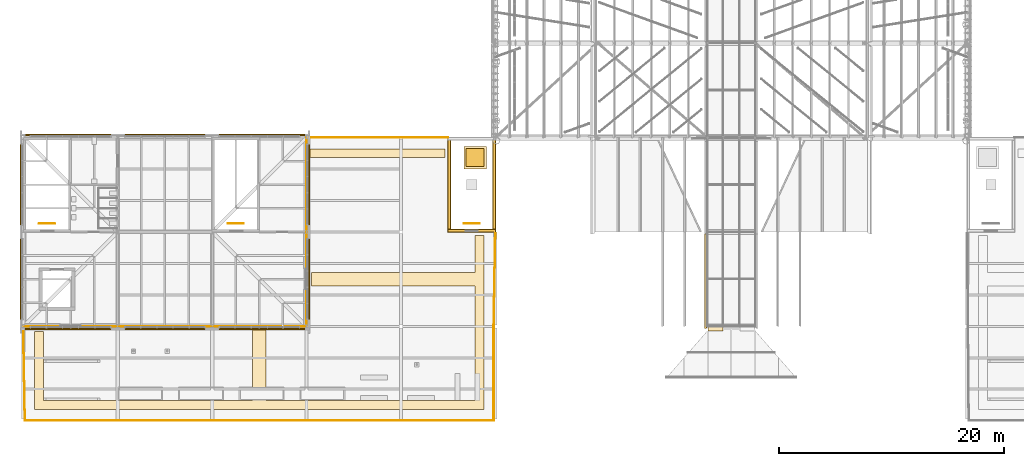
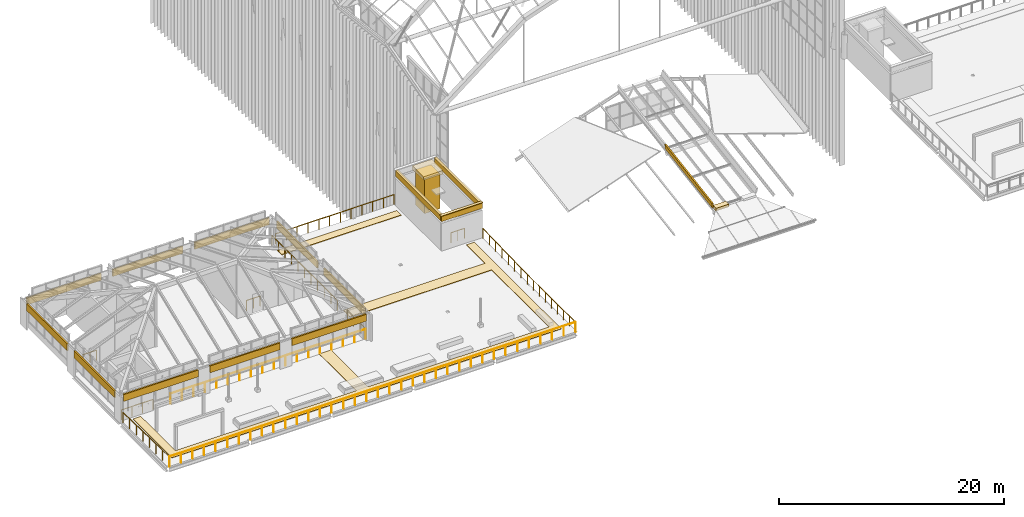
# One storey, part 100 of 126: 22 coverings, 12 railings.
"""IFC4 building model written with IfcOpenShell, lengths in metres."""

from ifc_helpers import new_model, si_unit, direction, frame, origin, origin_2d, place, context, subcontext, project, spatial, polyline, rectangle, circle, outline, extrude, material, layer, layer_set, material_profile, profile_set, type_object, element, save


model = new_model("IFC4")

# Units and contexts
model_context = context("Model", 3, precision=1e-05, world=origin(), true_north=direction((0.0, 1.0)))
body_context = subcontext(model_context, "Body", "Model", "MODEL_VIEW")
ifc_project = project(units=[si_unit("LENGTHUNIT", "METRE"), si_unit("AREAUNIT", "SQUARE_METRE"), si_unit("VOLUMEUNIT", "CUBIC_METRE"), si_unit("PLANEANGLEUNIT", "RADIAN"), si_unit("MASSUNIT", "GRAM", prefix="KILO")], contexts=[model_context])

# Site, building, storey
site_placement = place(None, origin())
site = spatial("IfcSite", under=ifc_project, at=site_placement, CompositionType="ELEMENT")
building_placement = place(site_placement, origin())
building = spatial("IfcBuilding", under=site, at=building_placement, Name="Sava Quay Ferry Terminal", CompositionType="ELEMENT")
storey_placement = place(building_placement, frame((0.0, 0.0, 15.0)))
storey = spatial("IfcBuildingStorey", under=building, at=storey_placement, Name="L03", CompositionType="ELEMENT", Elevation=15.0)

# Covering
ifc_material_1 = material(Name="Steel S355", Category="steel")
ifc_material_profile = material_profile(ifc_material_1, rectangle(XDim=0.14990234375, YDim=0.60009765625, at=origin_2d()), Name="Cap 150 x 600")
ifc_profile_set = profile_set([ifc_material_profile], Name="Steel S355")
covering_type_1 = type_object("IfcCoveringType", Name="Crease capping 150x600", PredefinedType="MOLDING", material=ifc_profile_set)
covering_1_placement = place(storey_placement, frame((60.745849609375, 33.4521484375, 2.12109375), z_axis=(0.0, 0.987350755247, 0.158551209752), x_axis=(-0.986605539958, 0.025863541144, -0.161060813866)))
element("IfcCovering", 1, at=covering_1_placement, inside=storey, type_object=covering_type_1, Name="Arrivals hall crease capping bay 1 crease 2", PredefinedType="MOLDING", context=body_context, shape_type="SweptSolid", body=[
    extrude(rectangle(XDim=0.14990234375, YDim=0.60009765625, at=origin_2d()), origin(), (0.0, 0.0, 1.0), 8.507568359375),
])

# Railings
ifc_material_2 = material(Name="Steel S355", Category="steel")
railing_type_1 = type_object("IfcRailingType", Name="Edge guard 1100", PredefinedType="GUARDRAIL", material=ifc_material_2)
railing_1_placement = place(storey_placement, frame((41.860107421875, 33.739990234375, 0.0)))
element("IfcRailing", 2, at=railing_1_placement, inside=storey, type_object=railing_type_1, Name="Terrace edge guard", PredefinedType="GUARDRAIL", context=body_context, shape_type="SweptSolid", body=[
    extrude(circle(Radius=0.02392578125, at=origin_2d()), frame((0.0, 0.0, 1.076171875), z_axis=(0.0, -1.0, 0.0), x_axis=(1.0, 0.0, 0.0)), (0.0, 0.0, 1.0), 8.5400390625),
    extrude(circle(Radius=0.02099609375, at=origin_2d()), origin(), (0.0, 0.0, 1.0), 1.052001953125),
    extrude(circle(Radius=0.02099609375, at=origin_2d()), frame((0.0, -1.0673828125, 0.0)), (0.0, 0.0, 1.0), 1.052001953125),
    extrude(circle(Radius=0.02099609375, at=origin_2d()), frame((0.0, -2.135009765625, 0.0)), (0.0, 0.0, 1.0), 1.052001953125),
    extrude(circle(Radius=0.02099609375, at=origin_2d()), frame((0.0, -3.20263671875, 0.0)), (0.0, 0.0, 1.0), 1.052001953125),
    extrude(circle(Radius=0.02099609375, at=origin_2d()), frame((0.0, -4.27001953125, 0.0)), (0.0, 0.0, 1.0), 1.052001953125),
    extrude(circle(Radius=0.02099609375, at=origin_2d()), frame((0.0, -5.33740234375, 0.0)), (0.0, 0.0, 1.0), 1.052001953125),
    extrude(circle(Radius=0.02099609375, at=origin_2d()), frame((0.0, -6.405029296875, 0.0)), (0.0, 0.0, 1.0), 1.052001953125),
    extrude(circle(Radius=0.02099609375, at=origin_2d()), frame((0.0, -7.47265625, 0.0)), (0.0, 0.0, 1.0), 1.052001953125),
    extrude(circle(Radius=0.02099609375, at=origin_2d()), frame((0.0, -8.5400390625, 0.0)), (0.0, 0.0, 1.0), 1.052001953125),
])
railing_2_placement = place(storey_placement, frame((41.860107421875, 25.199951171875, 0.0)))
element("IfcRailing", 3, at=railing_2_placement, inside=storey, type_object=railing_type_1, Name="Terrace edge guard", PredefinedType="GUARDRAIL", context=body_context, shape_type="SweptSolid", body=[
    extrude(circle(Radius=0.02392578125, at=origin_2d()), frame((0.0, 0.0, 1.076171875), z_axis=(-1.0, 0.0, 0.0), x_axis=(0.0, -1.0, 0.0)), (0.0, 0.0, 1.0), 41.72021484375),
    extrude(circle(Radius=0.02099609375, at=origin_2d()), origin(), (0.0, 0.0, 1.0), 1.052001953125),
    extrude(circle(Radius=0.02099609375, at=origin_2d()), frame((-1.19189453125, 0.0, 0.0)), (0.0, 0.0, 1.0), 1.052001953125),
    extrude(circle(Radius=0.02099609375, at=origin_2d()), frame((-2.384033203125, 0.0, 0.0)), (0.0, 0.0, 1.0), 1.052001953125),
    extrude(circle(Radius=0.02099609375, at=origin_2d()), frame((-3.575927734375, 0.0, 0.0)), (0.0, 0.0, 1.0), 1.052001953125),
    extrude(circle(Radius=0.02099609375, at=origin_2d()), frame((-4.76806640625, 0.0, 0.0)), (0.0, 0.0, 1.0), 1.052001953125),
    extrude(circle(Radius=0.02099609375, at=origin_2d()), frame((-5.9599609375, 0.0, 0.0)), (0.0, 0.0, 1.0), 1.052001953125),
    extrude(circle(Radius=0.02099609375, at=origin_2d()), frame((-7.152099609375, 0.0, 0.0)), (0.0, 0.0, 1.0), 1.052001953125),
    extrude(circle(Radius=0.02099609375, at=origin_2d()), frame((-8.343994140625, 0.0, 0.0)), (0.0, 0.0, 1.0), 1.052001953125),
    extrude(circle(Radius=0.02099609375, at=origin_2d()), frame((-9.5361328125, 0.0, 0.0)), (0.0, 0.0, 1.0), 1.052001953125),
    extrude(circle(Radius=0.02099609375, at=origin_2d()), frame((-10.72802734375, 0.0, 0.0)), (0.0, 0.0, 1.0), 1.052001953125),
    extrude(circle(Radius=0.02099609375, at=origin_2d()), frame((-11.920166015625, 0.0, 0.0)), (0.0, 0.0, 1.0), 1.052001953125),
    extrude(circle(Radius=0.02099609375, at=origin_2d()), frame((-13.112060546875, 0.0, 0.0)), (0.0, 0.0, 1.0), 1.052001953125),
    extrude(circle(Radius=0.02099609375, at=origin_2d()), frame((-14.303955078125, 0.0, 0.0)), (0.0, 0.0, 1.0), 1.052001953125),
    extrude(circle(Radius=0.02099609375, at=origin_2d()), frame((-15.49609375, 0.0, 0.0)), (0.0, 0.0, 1.0), 1.052001953125),
    extrude(circle(Radius=0.02099609375, at=origin_2d()), frame((-16.68798828125, 0.0, 0.0)), (0.0, 0.0, 1.0), 1.052001953125),
    extrude(circle(Radius=0.02099609375, at=origin_2d()), frame((-17.880126953125, 0.0, 0.0)), (0.0, 0.0, 1.0), 1.052001953125),
    extrude(circle(Radius=0.02099609375, at=origin_2d()), frame((-19.072021484375, 0.0, 0.0)), (0.0, 0.0, 1.0), 1.052001953125),
    extrude(circle(Radius=0.02099609375, at=origin_2d()), frame((-20.26416015625, 0.0, 0.0)), (0.0, 0.0, 1.0), 1.052001953125),
    extrude(circle(Radius=0.02099609375, at=origin_2d()), frame((-21.4560546875, 0.0, 0.0)), (0.0, 0.0, 1.0), 1.052001953125),
    extrude(circle(Radius=0.02099609375, at=origin_2d()), frame((-22.648193359375, 0.0, 0.0)), (0.0, 0.0, 1.0), 1.052001953125),
    extrude(circle(Radius=0.02099609375, at=origin_2d()), frame((-23.840087890625, 0.0, 0.0)), (0.0, 0.0, 1.0), 1.052001953125),
    extrude(circle(Radius=0.02099609375, at=origin_2d()), frame((-25.0322265625, 0.0, 0.0)), (0.0, 0.0, 1.0), 1.052001953125),
    extrude(circle(Radius=0.02099609375, at=origin_2d()), frame((-26.22412109375, 0.0, 0.0)), (0.0, 0.0, 1.0), 1.052001953125),
    extrude(circle(Radius=0.02099609375, at=origin_2d()), frame((-27.416259765625, 0.0, 0.0)), (0.0, 0.0, 1.0), 1.052001953125),
    extrude(circle(Radius=0.02099609375, at=origin_2d()), frame((-28.608154296875, 0.0, 0.0)), (0.0, 0.0, 1.0), 1.052001953125),
    extrude(circle(Radius=0.02099609375, at=origin_2d()), frame((-29.800048828125, 0.0, 0.0)), (0.0, 0.0, 1.0), 1.052001953125),
    extrude(circle(Radius=0.02099609375, at=origin_2d()), frame((-30.9921875, 0.0, 0.0)), (0.0, 0.0, 1.0), 1.052001953125),
    extrude(circle(Radius=0.02099609375, at=origin_2d()), frame((-32.18408203125, 0.0, 0.0)), (0.0, 0.0, 1.0), 1.052001953125),
    extrude(circle(Radius=0.02099609375, at=origin_2d()), frame((-33.376220703125, 0.0, 0.0)), (0.0, 0.0, 1.0), 1.052001953125),
    extrude(circle(Radius=0.02099609375, at=origin_2d()), frame((-34.568115234375, 0.0, 0.0)), (0.0, 0.0, 1.0), 1.052001953125),
    extrude(circle(Radius=0.02099609375, at=origin_2d()), frame((-35.76025390625, 0.0, 0.0)), (0.0, 0.0, 1.0), 1.052001953125),
    extrude(circle(Radius=0.02099609375, at=origin_2d()), frame((-36.9521484375, 0.0, 0.0)), (0.0, 0.0, 1.0), 1.052001953125),
    extrude(circle(Radius=0.02099609375, at=origin_2d()), frame((-38.144287109375, 0.0, 0.0)), (0.0, 0.0, 1.0), 1.052001953125),
    extrude(circle(Radius=0.02099609375, at=origin_2d()), frame((-39.336181640625, 0.0, 0.0)), (0.0, 0.0, 1.0), 1.052001953125),
    extrude(circle(Radius=0.02099609375, at=origin_2d()), frame((-40.5283203125, 0.0, 0.0)), (0.0, 0.0, 1.0), 1.052001953125),
    extrude(circle(Radius=0.02099609375, at=origin_2d()), frame((-41.72021484375, 0.0, 0.0)), (0.0, 0.0, 1.0), 1.052001953125),
])
railing_3_placement = place(storey_placement, frame((0.139892578125, 25.199951171875, 0.0)))
element("IfcRailing", 4, at=railing_3_placement, inside=storey, type_object=railing_type_1, Name="Terrace edge guard", PredefinedType="GUARDRAIL", context=body_context, shape_type="SweptSolid", body=[
    extrude(circle(Radius=0.02392578125, at=origin_2d()), frame((0.0, 0.0, 1.076171875), z_axis=(-0.01754975503, 0.99984599119, 0.0), x_axis=(-0.99984599119, -0.01754975503, 0.0)), (0.0, 0.0, 1.0), 7.97119140625),
    extrude(circle(Radius=0.02099609375, at=origin_2d()), origin(), (0.0, 0.0, 1.0), 1.052001953125),
    extrude(circle(Radius=0.02099609375, at=origin_2d()), frame((-0.02001953125, 1.138671875, 0.0)), (0.0, 0.0, 1.0), 1.052001953125),
    extrude(circle(Radius=0.02099609375, at=origin_2d()), frame((-0.0400390625, 2.277099609375, 0.0)), (0.0, 0.0, 1.0), 1.052001953125),
    extrude(circle(Radius=0.02099609375, at=origin_2d()), frame((-0.06005859375, 3.415771484375, 0.0)), (0.0, 0.0, 1.0), 1.052001953125),
    extrude(circle(Radius=0.02099609375, at=origin_2d()), frame((-0.079833984375, 4.55419921875, 0.0)), (0.0, 0.0, 1.0), 1.052001953125),
    extrude(circle(Radius=0.02099609375, at=origin_2d()), frame((-0.099853515625, 5.69287109375, 0.0)), (0.0, 0.0, 1.0), 1.052001953125),
    extrude(circle(Radius=0.02099609375, at=origin_2d()), frame((-0.119873046875, 6.831298828125, 0.0)), (0.0, 0.0, 1.0), 1.052001953125),
    extrude(circle(Radius=0.02099609375, at=origin_2d()), frame((-0.139892578125, 7.969970703125, 0.0)), (0.0, 0.0, 1.0), 1.052001953125),
])
railing_4_placement = place(storey_placement, frame((25.6201171875, 50.39990234375, 0.0)))
element("IfcRailing", 5, at=railing_4_placement, inside=storey, type_object=railing_type_1, Name="Terrace edge guard", PredefinedType="GUARDRAIL", context=body_context, shape_type="SweptSolid", body=[
    extrude(circle(Radius=0.02392578125, at=origin_2d()), frame((0.0, 0.0, 1.076171875), z_axis=(1.0, 0.0, 0.0), x_axis=(0.0, 1.0, 0.0)), (0.0, 0.0, 1.0), 12.179931640625),
    extrude(circle(Radius=0.02099609375, at=origin_2d()), origin(), (0.0, 0.0, 1.0), 1.052001953125),
    extrude(circle(Radius=0.02099609375, at=origin_2d()), frame((1.107177734375, 0.0, 0.0)), (0.0, 0.0, 1.0), 1.052001953125),
    extrude(circle(Radius=0.02099609375, at=origin_2d()), frame((2.214599609375, 0.0, 0.0)), (0.0, 0.0, 1.0), 1.052001953125),
    extrude(circle(Radius=0.02099609375, at=origin_2d()), frame((3.32177734375, 0.0, 0.0)), (0.0, 0.0, 1.0), 1.052001953125),
    extrude(circle(Radius=0.02099609375, at=origin_2d()), frame((4.428955078125, 0.0, 0.0)), (0.0, 0.0, 1.0), 1.052001953125),
    extrude(circle(Radius=0.02099609375, at=origin_2d()), frame((5.536376953125, 0.0, 0.0)), (0.0, 0.0, 1.0), 1.052001953125),
    extrude(circle(Radius=0.02099609375, at=origin_2d()), frame((6.6435546875, 0.0, 0.0)), (0.0, 0.0, 1.0), 1.052001953125),
    extrude(circle(Radius=0.02099609375, at=origin_2d()), frame((7.7509765625, 0.0, 0.0)), (0.0, 0.0, 1.0), 1.052001953125),
    extrude(circle(Radius=0.02099609375, at=origin_2d()), frame((8.858154296875, 0.0, 0.0)), (0.0, 0.0, 1.0), 1.052001953125),
    extrude(circle(Radius=0.02099609375, at=origin_2d()), frame((9.96533203125, 0.0, 0.0)), (0.0, 0.0, 1.0), 1.052001953125),
    extrude(circle(Radius=0.02099609375, at=origin_2d()), frame((11.07275390625, 0.0, 0.0)), (0.0, 0.0, 1.0), 1.052001953125),
    extrude(circle(Radius=0.02099609375, at=origin_2d()), frame((12.179931640625, 0.0, 0.0)), (0.0, 0.0, 1.0), 1.052001953125),
])
railing_5_placement = place(storey_placement, frame((42.0, 41.8798828125, 0.0)))
element("IfcRailing", 6, at=railing_5_placement, inside=storey, type_object=railing_type_1, Name="Terrace edge guard", PredefinedType="GUARDRAIL", context=body_context, shape_type="SweptSolid", body=[
    extrude(circle(Radius=0.02392578125, at=origin_2d()), frame((0.0, 0.0, 1.076171875), z_axis=(-0.017183509734, -0.999852352597, 0.0), x_axis=(0.999852352597, -0.017183509734, 0.0)), (0.0, 0.0, 1.0), 8.14111328125),
    extrude(circle(Radius=0.02099609375, at=origin_2d()), origin(), (0.0, 0.0, 1.0), 1.052001953125),
    extrude(circle(Radius=0.02099609375, at=origin_2d()), frame((-0.02001953125, -1.162841796875, 0.0)), (0.0, 0.0, 1.0), 1.052001953125),
    extrude(circle(Radius=0.02099609375, at=origin_2d()), frame((-0.0400390625, -2.32568359375, 0.0)), (0.0, 0.0, 1.0), 1.052001953125),
    extrude(circle(Radius=0.02099609375, at=origin_2d()), frame((-0.06005859375, -3.488525390625, 0.0)), (0.0, 0.0, 1.0), 1.052001953125),
    extrude(circle(Radius=0.02099609375, at=origin_2d()), frame((-0.079833984375, -4.6513671875, 0.0)), (0.0, 0.0, 1.0), 1.052001953125),
    extrude(circle(Radius=0.02099609375, at=origin_2d()), frame((-0.099853515625, -5.814208984375, 0.0)), (0.0, 0.0, 1.0), 1.052001953125),
    extrude(circle(Radius=0.02099609375, at=origin_2d()), frame((-0.119873046875, -6.97705078125, 0.0)), (0.0, 0.0, 1.0), 1.052001953125),
    extrude(circle(Radius=0.02099609375, at=origin_2d()), frame((-0.139892578125, -8.139892578125, 0.0)), (0.0, 0.0, 1.0), 1.052001953125),
])
ifc_material_3 = material(Name="Steel S355", Category="steel")
railing_type_2 = type_object("IfcRailingType", Name="Guard 1100", PredefinedType="GUARDRAIL", material=ifc_material_3)
for number, where, name in (
    (7, (1.39990234375, 42.72998046875, 0.0), "Guard at stair well ST-W1 L03"),
    (8, (18.199951171875, 42.72998046875, 0.0), "Guard at stair well ST-W3 L03"),
    (9, (39.199951171875, 42.72998046875, 0.0), "Guard at stair well ST-W2 L03"),
):
    element("IfcRailing", number, at=place(storey_placement, frame(where)), inside=storey, type_object=railing_type_2, Name=name, PredefinedType="GUARDRAIL", context=body_context, shape_type="SweptSolid", body=[
        extrude(circle(Radius=0.02392578125, at=origin_2d()), frame((0.0, 0.0, 1.076171875), z_axis=(1.0, 0.0, 0.0), x_axis=(0.0, 1.0, 0.0)), (0.0, 0.0, 1.0), 1.400146484375),
        extrude(circle(Radius=0.02099609375, at=origin_2d()), origin(), (0.0, 0.0, 1.0), 1.052001953125),
        extrude(circle(Radius=0.02099609375, at=origin_2d()), frame((0.7001953125, 0.0, 0.0)), (0.0, 0.0, 1.0), 1.052001953125),
        extrude(circle(Radius=0.02099609375, at=origin_2d()), frame((1.400146484375, 0.0, 0.0)), (0.0, 0.0, 1.0), 1.052001953125),
    ])
railing_6_placement = place(storey_placement, frame((0.06005859375, 33.60009765625, 0.0)))
element("IfcRailing", 10, at=railing_6_placement, inside=storey, type_object=railing_type_2, Name="Mezzanine guard", PredefinedType="GUARDRAIL", context=body_context, shape_type="SweptSolid", body=[
    extrude(circle(Radius=0.02392578125, at=origin_2d()), frame((0.0, 0.0, 1.076171875), z_axis=(1.0, 0.0, 0.0), x_axis=(0.0, 1.0, 0.0)), (0.0, 0.0, 1.0), 3.239990234375),
    extrude(circle(Radius=0.02099609375, at=origin_2d()), origin(), (0.0, 0.0, 1.0), 1.052001953125),
    extrude(circle(Radius=0.02099609375, at=origin_2d()), frame((1.080078125, 0.0, 0.0)), (0.0, 0.0, 1.0), 1.052001953125),
    extrude(circle(Radius=0.02099609375, at=origin_2d()), frame((2.159912109375, 0.0, 0.0)), (0.0, 0.0, 1.0), 1.052001953125),
    extrude(circle(Radius=0.02099609375, at=origin_2d()), frame((3.239990234375, 0.0, 0.0)), (0.0, 0.0, 1.0), 1.052001953125),
])
railing_7_placement = place(storey_placement, frame((5.10009765625, 33.60009765625, 0.0)))
element("IfcRailing", 11, at=railing_7_placement, inside=storey, type_object=railing_type_2, Name="Mezzanine guard", PredefinedType="GUARDRAIL", context=body_context, shape_type="SweptSolid", body=[
    extrude(circle(Radius=0.02392578125, at=origin_2d()), frame((0.0, 0.0, 1.076171875), z_axis=(1.0, 0.0, 0.0), x_axis=(0.0, 1.0, 0.0)), (0.0, 0.0, 1.0), 20.099853515625),
    extrude(circle(Radius=0.02099609375, at=origin_2d()), origin(), (0.0, 0.0, 1.0), 1.052001953125),
    extrude(circle(Radius=0.02099609375, at=origin_2d()), frame((1.182373046875, 0.0, 0.0)), (0.0, 0.0, 1.0), 1.052001953125),
    extrude(circle(Radius=0.02099609375, at=origin_2d()), frame((2.36474609375, 0.0, 0.0)), (0.0, 0.0, 1.0), 1.052001953125),
    extrude(circle(Radius=0.02099609375, at=origin_2d()), frame((3.547119140625, 0.0, 0.0)), (0.0, 0.0, 1.0), 1.052001953125),
    extrude(circle(Radius=0.02099609375, at=origin_2d()), frame((4.7294921875, 0.0, 0.0)), (0.0, 0.0, 1.0), 1.052001953125),
    extrude(circle(Radius=0.02099609375, at=origin_2d()), frame((5.91162109375, 0.0, 0.0)), (0.0, 0.0, 1.0), 1.052001953125),
    extrude(circle(Radius=0.02099609375, at=origin_2d()), frame((7.093994140625, 0.0, 0.0)), (0.0, 0.0, 1.0), 1.052001953125),
    extrude(circle(Radius=0.02099609375, at=origin_2d()), frame((8.2763671875, 0.0, 0.0)), (0.0, 0.0, 1.0), 1.052001953125),
    extrude(circle(Radius=0.02099609375, at=origin_2d()), frame((9.458740234375, 0.0, 0.0)), (0.0, 0.0, 1.0), 1.052001953125),
    extrude(circle(Radius=0.02099609375, at=origin_2d()), frame((10.64111328125, 0.0, 0.0)), (0.0, 0.0, 1.0), 1.052001953125),
    extrude(circle(Radius=0.02099609375, at=origin_2d()), frame((11.823486328125, 0.0, 0.0)), (0.0, 0.0, 1.0), 1.052001953125),
    extrude(circle(Radius=0.02099609375, at=origin_2d()), frame((13.005859375, 0.0, 0.0)), (0.0, 0.0, 1.0), 1.052001953125),
    extrude(circle(Radius=0.02099609375, at=origin_2d()), frame((14.188232421875, 0.0, 0.0)), (0.0, 0.0, 1.0), 1.052001953125),
    extrude(circle(Radius=0.02099609375, at=origin_2d()), frame((15.370361328125, 0.0, 0.0)), (0.0, 0.0, 1.0), 1.052001953125),
    extrude(circle(Radius=0.02099609375, at=origin_2d()), frame((16.552734375, 0.0, 0.0)), (0.0, 0.0, 1.0), 1.052001953125),
    extrude(circle(Radius=0.02099609375, at=origin_2d()), frame((17.735107421875, 0.0, 0.0)), (0.0, 0.0, 1.0), 1.052001953125),
    extrude(circle(Radius=0.02099609375, at=origin_2d()), frame((18.91748046875, 0.0, 0.0)), (0.0, 0.0, 1.0), 1.052001953125),
    extrude(circle(Radius=0.02099609375, at=origin_2d()), frame((20.099853515625, 0.0, 0.0)), (0.0, 0.0, 1.0), 1.052001953125),
])
railing_8_placement = place(storey_placement, frame((25.199951171875, 33.60009765625, 0.0)))
element("IfcRailing", 12, at=railing_8_placement, inside=storey, type_object=railing_type_2, Name="Mezzanine guard", PredefinedType="GUARDRAIL", context=body_context, shape_type="SweptSolid", body=[
    extrude(circle(Radius=0.02392578125, at=origin_2d()), frame((0.0, 0.0, 1.076171875), z_axis=(0.0, 1.0, 0.0), x_axis=(-1.0, 0.0, 0.0)), (0.0, 0.0, 1.0), 3.2998046875),
    extrude(circle(Radius=0.02099609375, at=origin_2d()), origin(), (0.0, 0.0, 1.0), 1.052001953125),
    extrude(circle(Radius=0.02099609375, at=origin_2d()), frame((0.0, 1.099853515625, 0.0)), (0.0, 0.0, 1.0), 1.052001953125),
    extrude(circle(Radius=0.02099609375, at=origin_2d()), frame((0.0, 2.199951171875, 0.0)), (0.0, 0.0, 1.0), 1.052001953125),
    extrude(circle(Radius=0.02099609375, at=origin_2d()), frame((0.0, 3.2998046875, 0.0)), (0.0, 0.0, 1.0), 1.052001953125),
])
railing_9_placement = place(storey_placement, frame((25.199951171875, 38.699951171875, 0.0)))
element("IfcRailing", 13, at=railing_9_placement, inside=storey, type_object=railing_type_2, Name="Mezzanine guard", PredefinedType="GUARDRAIL", context=body_context, shape_type="SweptSolid", body=[
    extrude(circle(Radius=0.02392578125, at=origin_2d()), frame((0.0, 0.0, 1.076171875), z_axis=(0.0, 1.0, 0.0), x_axis=(-1.0, 0.0, 0.0)), (0.0, 0.0, 1.0), 11.64013671875),
    extrude(circle(Radius=0.02099609375, at=origin_2d()), origin(), (0.0, 0.0, 1.0), 1.052001953125),
    extrude(circle(Radius=0.02099609375, at=origin_2d()), frame((0.0, 1.1640625, 0.0)), (0.0, 0.0, 1.0), 1.052001953125),
    extrude(circle(Radius=0.02099609375, at=origin_2d()), frame((0.0, 2.328125, 0.0)), (0.0, 0.0, 1.0), 1.052001953125),
    extrude(circle(Radius=0.02099609375, at=origin_2d()), frame((0.0, 3.491943359375, 0.0)), (0.0, 0.0, 1.0), 1.052001953125),
    extrude(circle(Radius=0.02099609375, at=origin_2d()), frame((0.0, 4.656005859375, 0.0)), (0.0, 0.0, 1.0), 1.052001953125),
    extrude(circle(Radius=0.02099609375, at=origin_2d()), frame((0.0, 5.820068359375, 0.0)), (0.0, 0.0, 1.0), 1.052001953125),
    extrude(circle(Radius=0.02099609375, at=origin_2d()), frame((0.0, 6.984130859375, 0.0)), (0.0, 0.0, 1.0), 1.052001953125),
    extrude(circle(Radius=0.02099609375, at=origin_2d()), frame((0.0, 8.148193359375, 0.0)), (0.0, 0.0, 1.0), 1.052001953125),
    extrude(circle(Radius=0.02099609375, at=origin_2d()), frame((0.0, 9.31201171875, 0.0)), (0.0, 0.0, 1.0), 1.052001953125),
    extrude(circle(Radius=0.02099609375, at=origin_2d()), frame((0.0, 10.47607421875, 0.0)), (0.0, 0.0, 1.0), 1.052001953125),
    extrude(circle(Radius=0.02099609375, at=origin_2d()), frame((0.0, 11.64013671875, 0.0)), (0.0, 0.0, 1.0), 1.052001953125),
])

# Coverings
ifc_material_4 = material(Name="Limestone Mutalj", Category="masonry")
ifc_layer_1 = layer(ifc_material_4, 0.14990234375)
ifc_layer_set_1 = layer_set([ifc_layer_1], Name="Limestone Mutalj")
covering_type_2 = type_object("IfcCoveringType", Name="Limestone string course 150", PredefinedType="CLADDING", material=ifc_layer_set_1)
covering_2_placement = place(storey_placement, frame((0.0, 0.0, 2.14990234375)))
element("IfcCovering", 14, at=covering_2_placement, inside=storey, type_object=covering_type_2, Name="String course W-W-PAV", PredefinedType="CLADDING", context=body_context, shape_type="SweptSolid", body=[
    extrude(outline(polyline([(-0.14990234375, 34.199951171875), (-0.14990234375, 41.39990234375), (-0.300048828125, 41.39990234375), (-0.300048828125, 34.199951171875), (-0.14990234375, 34.199951171875)])), origin(), (0.0, 0.0, 1.0), 0.75),
])
covering_3_placement = place(storey_placement, frame((0.0, 0.0, 2.14990234375)))
element("IfcCovering", 15, at=covering_3_placement, inside=storey, type_object=covering_type_2, Name="String course W-W-PAV", PredefinedType="CLADDING", context=body_context, shape_type="SweptSolid", body=[
    extrude(outline(polyline([(-0.14990234375, 42.60009765625), (-0.14990234375, 49.800048828125), (-0.300048828125, 49.800048828125), (-0.300048828125, 42.60009765625), (-0.14990234375, 42.60009765625)])), origin(), (0.0, 0.0, 1.0), 0.75),
])
covering_4_placement = place(storey_placement, frame((0.0, 0.0, 2.14990234375)))
element("IfcCovering", 16, at=covering_4_placement, inside=storey, type_object=covering_type_2, Name="String course W-N-PAV", PredefinedType="CLADDING", context=body_context, shape_type="SweptSolid", body=[
    extrude(outline(polyline([(0.14990234375, 50.56005859375), (7.800048828125, 50.56005859375), (7.800048828125, 50.7099609375), (0.14990234375, 50.7099609375), (0.14990234375, 50.56005859375)])), origin(), (0.0, 0.0, 1.0), 0.75),
])
covering_5_placement = place(storey_placement, frame((0.0, 0.0, 2.14990234375)))
element("IfcCovering", 17, at=covering_5_placement, inside=storey, type_object=covering_type_2, Name="String course W-N-PAV", PredefinedType="CLADDING", context=body_context, shape_type="SweptSolid", body=[
    extrude(outline(polyline([(9.0, 50.56005859375), (16.199951171875, 50.56005859375), (16.199951171875, 50.7099609375), (9.0, 50.7099609375), (9.0, 50.56005859375)])), origin(), (0.0, 0.0, 1.0), 0.75),
])
covering_6_placement = place(storey_placement, frame((0.0, 0.0, 2.14990234375)))
element("IfcCovering", 18, at=covering_6_placement, inside=storey, type_object=covering_type_2, Name="String course W-N-PAV", PredefinedType="CLADDING", context=body_context, shape_type="SweptSolid", body=[
    extrude(outline(polyline([(17.39990234375, 50.56005859375), (25.080078125, 50.56005859375), (25.080078125, 50.7099609375), (17.39990234375, 50.7099609375), (17.39990234375, 50.56005859375)])), origin(), (0.0, 0.0, 1.0), 0.75),
])
covering_7_placement = place(storey_placement, frame((0.0, 0.0, 2.14990234375)))
element("IfcCovering", 19, at=covering_7_placement, inside=storey, type_object=covering_type_2, Name="String course W-E-PAV", PredefinedType="CLADDING", context=body_context, shape_type="SweptSolid", body=[
    extrude(outline(polyline([(25.35009765625, 34.199951171875), (25.35009765625, 41.39990234375), (25.5, 41.39990234375), (25.5, 34.199951171875), (25.35009765625, 34.199951171875)])), origin(), (0.0, 0.0, 1.0), 0.75),
])
covering_8_placement = place(storey_placement, frame((0.0, 0.0, 2.14990234375)))
element("IfcCovering", 20, at=covering_8_placement, inside=storey, type_object=covering_type_2, Name="String course W-E-PAV", PredefinedType="CLADDING", context=body_context, shape_type="SweptSolid", body=[
    extrude(outline(polyline([(25.35009765625, 42.60009765625), (25.35009765625, 49.800048828125), (25.5, 49.800048828125), (25.5, 42.60009765625), (25.35009765625, 42.60009765625)])), origin(), (0.0, 0.0, 1.0), 0.75),
])
covering_9_placement = place(storey_placement, frame((0.0, 0.0, 2.14990234375)))
element("IfcCovering", 21, at=covering_9_placement, inside=storey, type_object=covering_type_2, Name="String course W-S-PAV", PredefinedType="CLADDING", context=body_context, shape_type="SweptSolid", body=[
    extrude(outline(polyline([(0.1201171875, 33.43994140625), (7.800048828125, 33.43994140625), (7.800048828125, 33.2900390625), (0.1201171875, 33.2900390625), (0.1201171875, 33.43994140625)])), origin(), (0.0, 0.0, 1.0), 0.75),
])
covering_10_placement = place(storey_placement, frame((0.0, 0.0, 2.14990234375)))
element("IfcCovering", 22, at=covering_10_placement, inside=storey, type_object=covering_type_2, Name="String course W-S-PAV", PredefinedType="CLADDING", context=body_context, shape_type="SweptSolid", body=[
    extrude(outline(polyline([(9.0, 33.43994140625), (16.199951171875, 33.43994140625), (16.199951171875, 33.2900390625), (9.0, 33.2900390625), (9.0, 33.43994140625)])), origin(), (0.0, 0.0, 1.0), 0.75),
])
covering_11_placement = place(storey_placement, frame((0.0, 0.0, 2.14990234375)))
element("IfcCovering", 23, at=covering_11_placement, inside=storey, type_object=covering_type_2, Name="String course W-S-PAV", PredefinedType="CLADDING", context=body_context, shape_type="SweptSolid", body=[
    extrude(outline(polyline([(17.39990234375, 33.43994140625), (25.080078125, 33.43994140625), (25.080078125, 33.2900390625), (17.39990234375, 33.2900390625), (17.39990234375, 33.43994140625)])), origin(), (0.0, 0.0, 1.0), 0.75),
])
ifc_material_5 = material(Name="Limestone Mutalj", Category="masonry")
ifc_layer_2 = layer(ifc_material_5, 0.050048828125)
ifc_layer_set_2 = layer_set([ifc_layer_2], Name="Limestone Mutalj")
covering_type_3 = type_object("IfcCoveringType", Name="Overrun coping 300", PredefinedType="MOLDING", material=ifc_layer_set_2)
covering_12_placement = place(storey_placement, frame((39.89990234375, 42.10009765625, 3.7998046875), z_axis=(0.0, 0.0, 1.0), x_axis=(1.0, 0.0, 0.0)))
element("IfcCovering", 24, at=covering_12_placement, inside=storey, type_object=covering_type_3, Name="Overrun coping ST-W2 S", PredefinedType="MOLDING", context=body_context, shape_type="SweptSolid", body=[
    extrude(rectangle(XDim=4.300048828125, YDim=0.300048828125, at=origin_2d()), origin(), (0.0, 0.0, 1.0), 0.050048828125),
])
for number, where, z_axis, x_axis, name in (
    (25, (37.89990234375, 46.199951171875, 3.7998046875), (0.0, 0.0, 1.0), (1.0, 0.0, 0.0), "Overrun coping ST-W2 W"),
    (26, (41.89990234375, 46.199951171875, 3.7998046875), (0.0, 0.0, 1.0), (1.0, 0.0, 0.0), "Overrun coping ST-W2 E"),
):
    element("IfcCovering", number, at=place(storey_placement, frame(where, z_axis=z_axis, x_axis=x_axis)), inside=storey, type_object=covering_type_3, Name=name, PredefinedType="MOLDING", context=body_context, shape_type="SweptSolid", body=[
        extrude(rectangle(XDim=0.300048828125, YDim=7.89990234375, at=origin_2d()), origin(), (0.0, 0.0, 1.0), 0.050048828125),
    ])
ifc_material_6 = material(Name="Limestone Mutalj", Category="masonry")
ifc_layer_3 = layer(ifc_material_6, 0.199951171875)
ifc_layer_set_3 = layer_set([ifc_layer_3], Name="Limestone Mutalj")
covering_type_4 = type_object("IfcCoveringType", Name="Overrun parapet 200", PredefinedType="MOLDING", material=ifc_layer_set_3)
covering_13_placement = place(storey_placement, frame((39.89990234375, 42.10009765625, 3.199951171875), z_axis=(0.0, 0.0, 1.0), x_axis=(1.0, 0.0, 0.0)))
element("IfcCovering", 27, at=covering_13_placement, inside=storey, type_object=covering_type_4, Name="Overrun parapet ST-W2 S", PredefinedType="MOLDING", context=body_context, shape_type="SweptSolid", body=[
    extrude(rectangle(XDim=4.199951171875, YDim=0.199951171875, at=origin_2d()), origin(), (0.0, 0.0, 1.0), 0.60009765625),
])
for number, where, z_axis, x_axis, name in (
    (28, (37.89990234375, 46.199951171875, 3.199951171875), (0.0, 0.0, 1.0), (1.0, 0.0, 0.0), "Overrun parapet ST-W2 W"),
    (29, (41.89990234375, 46.199951171875, 3.199951171875), (0.0, 0.0, 1.0), (1.0, 0.0, 0.0), "Overrun parapet ST-W2 E"),
):
    element("IfcCovering", number, at=place(storey_placement, frame(where, z_axis=z_axis, x_axis=x_axis)), inside=storey, type_object=covering_type_4, Name=name, PredefinedType="MOLDING", context=body_context, shape_type="SweptSolid", body=[
        extrude(rectangle(XDim=0.199951171875, YDim=8.0, at=origin_2d()), origin(), (0.0, 0.0, 1.0), 0.60009765625),
    ])
ifc_material_7 = material(Name="Limestone Mutalj", Category="masonry")
ifc_layer_4 = layer(ifc_material_7, 1.60009765625)
ifc_layer_set_4 = layer_set([ifc_layer_4], Name="Limestone Mutalj")
covering_type_5 = type_object("IfcCoveringType", Name="Pavilion corner pier 1600", PredefinedType="CLADDING", material=ifc_layer_set_4)
covering_14_placement = place(storey_placement, frame((40.199951171875, 48.60009765625, 0.0), z_axis=(0.0, 0.0, 1.0), x_axis=(1.0, 0.0, 0.0)))
element("IfcCovering", 30, at=covering_14_placement, inside=storey, type_object=covering_type_5, Name="Pavilion corner pier", PredefinedType="CLADDING", context=body_context, shape_type="SweptSolid", body=[
    extrude(rectangle(XDim=1.60009765625, YDim=1.60009765625, at=origin_2d()), origin(), (0.0, 0.0, 1.0), 3.800048828125),
])
ifc_material_8 = material(Name="Limestone Mutalj", Category="masonry")
ifc_layer_5 = layer(ifc_material_8, 2.0)
ifc_layer_set_5 = layer_set([ifc_layer_5], Name="Limestone Mutalj")
covering_type_6 = type_object("IfcCoveringType", Name="Pavilion corner pier cap 2000", PredefinedType="MOLDING", material=ifc_layer_set_5)
covering_15_placement = place(storey_placement, frame((40.199951171875, 48.60009765625, 3.800048828125), z_axis=(0.0, 0.0, 1.0), x_axis=(1.0, 0.0, 0.0)))
element("IfcCovering", 31, at=covering_15_placement, inside=storey, type_object=covering_type_6, Name="Pavilion corner pier cap", PredefinedType="MOLDING", context=body_context, shape_type="SweptSolid", body=[
    extrude(rectangle(XDim=2.0, YDim=2.0, at=origin_2d()), origin(), (0.0, 0.0, 1.0), 0.39990234375),
])
ifc_material_9 = material(Name="Limestone Mutalj", Category="masonry")
ifc_layer_6 = layer(ifc_material_9, 0.050048828125)
ifc_layer_set_6 = layer_set([ifc_layer_6], Name="Limestone Mutalj")
covering_type_7 = type_object("IfcCoveringType", Name="Stone paving band 50", PredefinedType="FLOORING", material=ifc_layer_set_6)
covering_16_placement = place(storey_placement, origin())
element("IfcCovering", 32, at=covering_16_placement, inside=storey, type_object=covering_type_7, Name="Stone paving band", PredefinedType="FLOORING", context=body_context, shape_type="SweptSolid", body=[
    extrude(outline(polyline([(37.5, 49.39990234375), (25.199951171875, 49.39990234375), (25.199951171875, 48.60009765625), (37.5, 48.60009765625), (37.5, 49.39990234375)])), origin(), (0.0, 0.0, 1.0), 0.050048828125),
])
covering_17_placement = place(storey_placement, origin())
element("IfcCovering", 33, at=covering_17_placement, inside=storey, type_object=covering_type_7, Name="Stone paving band", PredefinedType="FLOORING", context=body_context, shape_type="SweptSolid", body=[
    extrude(outline(polyline([(41.0, 26.199951171875), (41.0, 41.699951171875), (40.199951171875, 41.699951171875), (40.199951171875, 38.39990234375), (25.64990234375, 38.39990234375), (25.64990234375, 37.199951171875), (40.199951171875, 37.199951171875), (40.199951171875, 27.0), (21.60009765625, 27.0), (21.60009765625, 33.60009765625), (20.39990234375, 33.60009765625), (20.39990234375, 27.0), (1.800048828125, 27.0), (1.800048828125, 33.139892578125), (1.0, 33.139892578125), (1.0, 26.199951171875), (41.0, 26.199951171875)])), origin(), (0.0, 0.0, 1.0), 0.050048828125),
])
ifc_material_10 = material(Name="Zinc sheet")
ifc_layer_7 = layer(ifc_material_10, 0.300048828125)
ifc_layer_set_7 = layer_set([ifc_layer_7], Name="Zinc sheet")
covering_type_8 = type_object("IfcCoveringType", Name="Zinc junction flashing 300", PredefinedType="CLADDING", material=ifc_layer_set_7)
covering_18_placement = place(storey_placement, frame((61.58349609375, 33.46533203125, 1.6025390625), z_axis=(0.0, 0.0, 1.0), x_axis=(1.0, 0.0, 0.0)))
element("IfcCovering", 34, at=covering_18_placement, inside=storey, type_object=covering_type_8, Name="Zinc junction flashing 1", PredefinedType="CLADDING", context=body_context, shape_type="SweptSolid", body=[
    extrude(rectangle(XDim=1.326904296875, YDim=0.54931640625, at=origin_2d()), origin(), (0.0, 0.0, 1.0), 0.300048828125),
])

save(model, "model.ifc")
